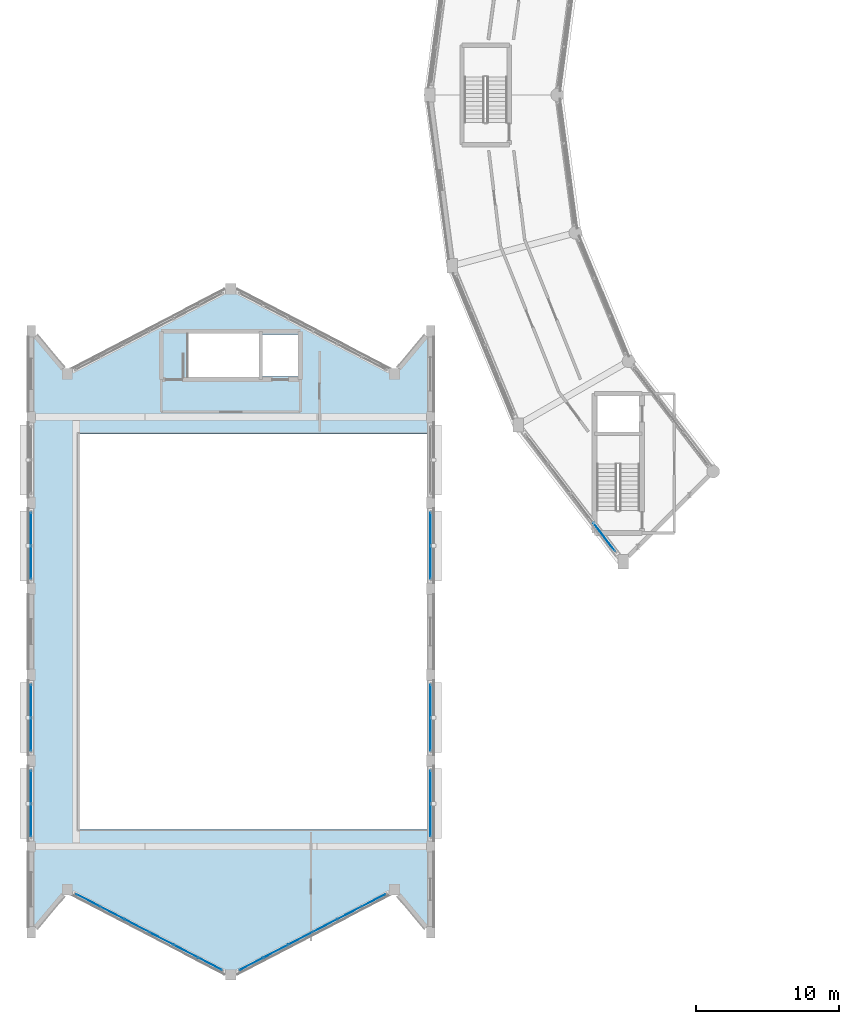
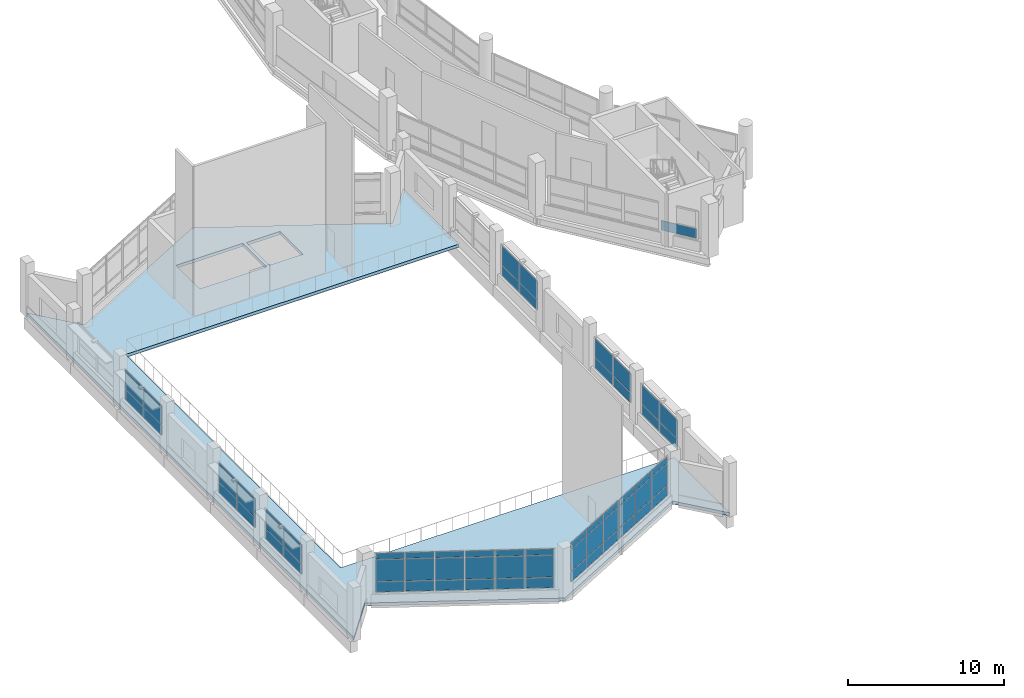
# One storey, part 100 of 128: 61 plates, 1 slab, 9 elements without a shape of their own.
"""IFC4 building model written with IfcOpenShell, lengths in metres."""

from ifc_helpers import new_model, si_unit, direction, frame, origin, origin_2d, place, context, subcontext, project, spatial, polyline, rectangle, outline, extrude, material, layer, layer_set, type_object, element, aggregate, save


model = new_model("IFC4")

# Units and contexts
model_context = context("Model", 3, precision=1e-05, world=origin(), true_north=direction((0.0, 1.0)))
body_context = subcontext(model_context, "Body", "Model", "MODEL_VIEW")
ifc_project = project(units=[si_unit("LENGTHUNIT", "METRE"), si_unit("AREAUNIT", "SQUARE_METRE"), si_unit("VOLUMEUNIT", "CUBIC_METRE"), si_unit("PLANEANGLEUNIT", "RADIAN"), si_unit("MASSUNIT", "GRAM", prefix="KILO")], contexts=[model_context])

# Site, building, storey
site_placement = place(None, origin())
site = spatial("IfcSite", under=ifc_project, at=site_placement, CompositionType="ELEMENT")
building_placement = place(site_placement, origin())
building = spatial("IfcBuilding", under=site, at=building_placement, Name="Vespera Passage Community Centre", CompositionType="ELEMENT")
storey_placement = place(building_placement, frame((0.0, 0.0, 4.5)))
storey = spatial("IfcBuildingStorey", under=building, at=storey_placement, Name="L01", CompositionType="ELEMENT", Elevation=4.5)

# Curtain wall, plates
ifc_material_1 = material(Name="Anodized aluminium 6063-T6", Category="aluminium")
ifc_layer_1 = layer(ifc_material_1, 0.159912109375)
ifc_layer_set_1 = layer_set([ifc_layer_1], Name="Anodized aluminium 6063-T6")
curtain_wall_type_1 = type_object("IfcCurtainWallType", Name="CW-85E", PredefinedType="NOTDEFINED", material=ifc_layer_set_1)
curtain_wall_1_placement = place(storey_placement, origin())
curtain_wall_1 = element("IfcCurtainWall", 1, at=curtain_wall_1_placement, inside=storey, type_object=curtain_wall_type_1, Name="V1 L01 S Apse Ribbon Curtain Wall 2", PredefinedType="NOTDEFINED")
ifc_material_2 = material(Name="Low-E insulated vision glass", Category="glass")
ifc_layer_2 = layer(ifc_material_2, 0.028076171875)
ifc_layer_set_2 = layer_set([ifc_layer_2], Name="Low-E insulated vision glass")
plate_type_1 = type_object("IfcPlateType", Name="PL-CWP-28E", PredefinedType="CURTAIN_PANEL", material=ifc_layer_set_2)
plate_1_placement = place(storey_placement, frame((27.98681640625, 9.248779296875, 0.85986328125), z_axis=(0.0, 0.0, 1.0), x_axis=(-0.887012747062, -0.46174493668, 0.0)))
plate_1 = element("IfcPlate", 2, at=plate_1_placement, type_object=plate_type_1, Name="CW-85E panel 1.1", PredefinedType="CURTAIN_PANEL", context=body_context, shape_type="SweptSolid", body=[
    extrude(rectangle(XDim=1.822021484375, YDim=0.028076171875, at=origin_2d()), origin(), (0.0, 0.0, 1.0), 0.760009765625),
])
plate_2_placement = place(storey_placement, frame((27.98681640625, 9.248779296875, 1.679931640625), z_axis=(0.0, 0.0, 1.0), x_axis=(-0.887012747062, -0.46174493668, 0.0)))
plate_2 = element("IfcPlate", 3, at=plate_2_placement, type_object=plate_type_1, Name="CW-85E panel 1.2", PredefinedType="CURTAIN_PANEL", context=body_context, shape_type="SweptSolid", body=[
    extrude(rectangle(XDim=1.822021484375, YDim=0.028076171875, at=origin_2d()), origin(), (0.0, 0.0, 1.0), 1.68994140625),
])
plate_3_placement = place(storey_placement, frame((27.98681640625, 9.248779296875, 3.429931640625), z_axis=(0.0, 0.0, 1.0), x_axis=(-0.887012747062, -0.46174493668, 0.0)))
plate_3 = element("IfcPlate", 4, at=plate_3_placement, type_object=plate_type_1, Name="CW-85E panel 1.3", PredefinedType="CURTAIN_PANEL", context=body_context, shape_type="SweptSolid", body=[
    extrude(rectangle(XDim=1.822021484375, YDim=0.028076171875, at=origin_2d()), origin(), (0.0, 0.0, 1.0), 0.4599609375),
])
plate_4_placement = place(storey_placement, frame((26.28759765625, 8.3642578125, 0.85986328125), z_axis=(0.0, 0.0, 1.0), x_axis=(-0.887012747062, -0.46174493668, 0.0)))
plate_4 = element("IfcPlate", 5, at=plate_4_placement, type_object=plate_type_1, Name="CW-85E panel 2.1", PredefinedType="CURTAIN_PANEL", context=body_context, shape_type="SweptSolid", body=[
    extrude(rectangle(XDim=1.859619140625, YDim=0.028076171875, at=origin_2d()), origin(), (0.0, 0.0, 1.0), 0.760009765625),
])
plate_5_placement = place(storey_placement, frame((26.28759765625, 8.3642578125, 1.679931640625), z_axis=(0.0, 0.0, 1.0), x_axis=(-0.887012747062, -0.46174493668, 0.0)))
plate_5 = element("IfcPlate", 6, at=plate_5_placement, type_object=plate_type_1, Name="CW-85E panel 2.2", PredefinedType="CURTAIN_PANEL", context=body_context, shape_type="SweptSolid", body=[
    extrude(rectangle(XDim=1.859619140625, YDim=0.028076171875, at=origin_2d()), origin(), (0.0, 0.0, 1.0), 1.68994140625),
])
plate_6_placement = place(storey_placement, frame((26.28759765625, 8.3642578125, 3.429931640625), z_axis=(0.0, 0.0, 1.0), x_axis=(-0.887012747062, -0.46174493668, 0.0)))
plate_6 = element("IfcPlate", 7, at=plate_6_placement, type_object=plate_type_1, Name="CW-85E panel 2.3", PredefinedType="CURTAIN_PANEL", context=body_context, shape_type="SweptSolid", body=[
    extrude(rectangle(XDim=1.859619140625, YDim=0.028076171875, at=origin_2d()), origin(), (0.0, 0.0, 1.0), 0.4599609375),
])
plate_7_placement = place(storey_placement, frame((24.571533203125, 7.470947265625, 0.85986328125), z_axis=(0.0, 0.0, 1.0), x_axis=(-0.887012747062, -0.46174493668, 0.0)))
plate_7 = element("IfcPlate", 8, at=plate_7_placement, type_object=plate_type_1, Name="CW-85E panel 3.1", PredefinedType="CURTAIN_PANEL", context=body_context, shape_type="SweptSolid", body=[
    extrude(rectangle(XDim=1.859619140625, YDim=0.028076171875, at=origin_2d()), origin(), (0.0, 0.0, 1.0), 0.760009765625),
])
plate_8_placement = place(storey_placement, frame((24.571533203125, 7.470947265625, 1.679931640625), z_axis=(0.0, 0.0, 1.0), x_axis=(-0.887012747062, -0.46174493668, 0.0)))
plate_8 = element("IfcPlate", 9, at=plate_8_placement, type_object=plate_type_1, Name="CW-85E panel 3.2", PredefinedType="CURTAIN_PANEL", context=body_context, shape_type="SweptSolid", body=[
    extrude(rectangle(XDim=1.859619140625, YDim=0.028076171875, at=origin_2d()), origin(), (0.0, 0.0, 1.0), 1.68994140625),
])
plate_9_placement = place(storey_placement, frame((24.571533203125, 7.470947265625, 3.429931640625), z_axis=(0.0, 0.0, 1.0), x_axis=(-0.887012747062, -0.46174493668, 0.0)))
plate_9 = element("IfcPlate", 10, at=plate_9_placement, type_object=plate_type_1, Name="CW-85E panel 3.3", PredefinedType="CURTAIN_PANEL", context=body_context, shape_type="SweptSolid", body=[
    extrude(rectangle(XDim=1.859619140625, YDim=0.028076171875, at=origin_2d()), origin(), (0.0, 0.0, 1.0), 0.4599609375),
])
plate_10_placement = place(storey_placement, frame((22.855712890625, 6.57763671875, 0.85986328125), z_axis=(0.0, 0.0, 1.0), x_axis=(-0.887012747062, -0.46174493668, 0.0)))
plate_10 = element("IfcPlate", 11, at=plate_10_placement, type_object=plate_type_1, Name="CW-85E panel 4.1", PredefinedType="CURTAIN_PANEL", context=body_context, shape_type="SweptSolid", body=[
    extrude(rectangle(XDim=1.859619140625, YDim=0.028076171875, at=origin_2d()), origin(), (0.0, 0.0, 1.0), 0.760009765625),
])
plate_11_placement = place(storey_placement, frame((22.855712890625, 6.57763671875, 1.679931640625), z_axis=(0.0, 0.0, 1.0), x_axis=(-0.887012747062, -0.46174493668, 0.0)))
plate_11 = element("IfcPlate", 12, at=plate_11_placement, type_object=plate_type_1, Name="CW-85E panel 4.2", PredefinedType="CURTAIN_PANEL", context=body_context, shape_type="SweptSolid", body=[
    extrude(rectangle(XDim=1.859619140625, YDim=0.028076171875, at=origin_2d()), origin(), (0.0, 0.0, 1.0), 1.68994140625),
])
plate_12_placement = place(storey_placement, frame((22.855712890625, 6.57763671875, 3.429931640625), z_axis=(0.0, 0.0, 1.0), x_axis=(-0.887012747062, -0.46174493668, 0.0)))
plate_12 = element("IfcPlate", 13, at=plate_12_placement, type_object=plate_type_1, Name="CW-85E panel 4.3", PredefinedType="CURTAIN_PANEL", context=body_context, shape_type="SweptSolid", body=[
    extrude(rectangle(XDim=1.859619140625, YDim=0.028076171875, at=origin_2d()), origin(), (0.0, 0.0, 1.0), 0.4599609375),
])
plate_13_placement = place(storey_placement, frame((21.1396484375, 5.684326171875, 0.85986328125), z_axis=(0.0, 0.0, 1.0), x_axis=(-0.887012747062, -0.46174493668, 0.0)))
plate_13 = element("IfcPlate", 14, at=plate_13_placement, type_object=plate_type_1, Name="CW-85E panel 5.1", PredefinedType="CURTAIN_PANEL", context=body_context, shape_type="SweptSolid", body=[
    extrude(rectangle(XDim=1.859619140625, YDim=0.028076171875, at=origin_2d()), origin(), (0.0, 0.0, 1.0), 0.760009765625),
])
plate_14_placement = place(storey_placement, frame((21.1396484375, 5.684326171875, 1.679931640625), z_axis=(0.0, 0.0, 1.0), x_axis=(-0.887012747062, -0.46174493668, 0.0)))
plate_14 = element("IfcPlate", 15, at=plate_14_placement, type_object=plate_type_1, Name="CW-85E panel 5.2", PredefinedType="CURTAIN_PANEL", context=body_context, shape_type="SweptSolid", body=[
    extrude(rectangle(XDim=1.859619140625, YDim=0.028076171875, at=origin_2d()), origin(), (0.0, 0.0, 1.0), 1.68994140625),
])
plate_15_placement = place(storey_placement, frame((21.1396484375, 5.684326171875, 3.429931640625), z_axis=(0.0, 0.0, 1.0), x_axis=(-0.887012747062, -0.46174493668, 0.0)))
plate_15 = element("IfcPlate", 16, at=plate_15_placement, type_object=plate_type_1, Name="CW-85E panel 5.3", PredefinedType="CURTAIN_PANEL", context=body_context, shape_type="SweptSolid", body=[
    extrude(rectangle(XDim=1.859619140625, YDim=0.028076171875, at=origin_2d()), origin(), (0.0, 0.0, 1.0), 0.4599609375),
])
plate_16_placement = place(storey_placement, frame((19.4404296875, 4.7998046875, 0.85986328125), z_axis=(0.0, 0.0, 1.0), x_axis=(-0.887012747062, -0.46174493668, 0.0)))
plate_16 = element("IfcPlate", 17, at=plate_16_placement, type_object=plate_type_1, Name="CW-85E panel 6.1", PredefinedType="CURTAIN_PANEL", context=body_context, shape_type="SweptSolid", body=[
    extrude(rectangle(XDim=1.822021484375, YDim=0.028076171875, at=origin_2d()), origin(), (0.0, 0.0, 1.0), 0.760009765625),
])
plate_17_placement = place(storey_placement, frame((19.4404296875, 4.7998046875, 1.679931640625), z_axis=(0.0, 0.0, 1.0), x_axis=(-0.887012747062, -0.46174493668, 0.0)))
plate_17 = element("IfcPlate", 18, at=plate_17_placement, type_object=plate_type_1, Name="CW-85E panel 6.2", PredefinedType="CURTAIN_PANEL", context=body_context, shape_type="SweptSolid", body=[
    extrude(rectangle(XDim=1.822021484375, YDim=0.028076171875, at=origin_2d()), origin(), (0.0, 0.0, 1.0), 1.68994140625),
])
plate_18_placement = place(storey_placement, frame((19.4404296875, 4.7998046875, 3.429931640625), z_axis=(0.0, 0.0, 1.0), x_axis=(-0.887012747062, -0.46174493668, 0.0)))
plate_18 = element("IfcPlate", 19, at=plate_18_placement, type_object=plate_type_1, Name="CW-85E panel 6.3", PredefinedType="CURTAIN_PANEL", context=body_context, shape_type="SweptSolid", body=[
    extrude(rectangle(XDim=1.822021484375, YDim=0.028076171875, at=origin_2d()), origin(), (0.0, 0.0, 1.0), 0.4599609375),
])
aggregate(curtain_wall_1, [plate_1, plate_2, plate_3, plate_4, plate_5, plate_6, plate_7, plate_8, plate_9, plate_10, plate_11, plate_12, plate_13, plate_14, plate_15, plate_16, plate_17, plate_18])

curtain_wall_2_placement = place(storey_placement, origin())
curtain_wall_2 = element("IfcCurtainWall", 20, at=curtain_wall_2_placement, inside=storey, type_object=curtain_wall_type_1, Name="V1 L01 S Apse Ribbon Curtain Wall 3", PredefinedType="NOTDEFINED")
plate_19_placement = place(storey_placement, frame((16.5595703125, 4.7998046875, 0.85986328125), z_axis=(0.0, 0.0, 1.0), x_axis=(-0.887012747062, 0.46174493668, 0.0)))
plate_19 = element("IfcPlate", 21, at=plate_19_placement, type_object=plate_type_1, Name="CW-85E panel 1.1", PredefinedType="CURTAIN_PANEL", context=body_context, shape_type="SweptSolid", body=[
    extrude(rectangle(XDim=1.822021484375, YDim=0.028076171875, at=origin_2d()), origin(), (0.0, 0.0, 1.0), 0.760009765625),
])
plate_20_placement = place(storey_placement, frame((16.5595703125, 4.7998046875, 1.679931640625), z_axis=(0.0, 0.0, 1.0), x_axis=(-0.887012747062, 0.46174493668, 0.0)))
plate_20 = element("IfcPlate", 22, at=plate_20_placement, type_object=plate_type_1, Name="CW-85E panel 1.2", PredefinedType="CURTAIN_PANEL", context=body_context, shape_type="SweptSolid", body=[
    extrude(rectangle(XDim=1.822021484375, YDim=0.028076171875, at=origin_2d()), origin(), (0.0, 0.0, 1.0), 1.68994140625),
])
plate_21_placement = place(storey_placement, frame((16.5595703125, 4.7998046875, 3.429931640625), z_axis=(0.0, 0.0, 1.0), x_axis=(-0.887012747062, 0.46174493668, 0.0)))
plate_21 = element("IfcPlate", 23, at=plate_21_placement, type_object=plate_type_1, Name="CW-85E panel 1.3", PredefinedType="CURTAIN_PANEL", context=body_context, shape_type="SweptSolid", body=[
    extrude(rectangle(XDim=1.822021484375, YDim=0.028076171875, at=origin_2d()), origin(), (0.0, 0.0, 1.0), 0.4599609375),
])
plate_22_placement = place(storey_placement, frame((14.8603515625, 5.684326171875, 0.85986328125), z_axis=(0.0, 0.0, 1.0), x_axis=(-0.887012747062, 0.46174493668, 0.0)))
plate_22 = element("IfcPlate", 24, at=plate_22_placement, type_object=plate_type_1, Name="CW-85E panel 2.1", PredefinedType="CURTAIN_PANEL", context=body_context, shape_type="SweptSolid", body=[
    extrude(rectangle(XDim=1.859619140625, YDim=0.028076171875, at=origin_2d()), origin(), (0.0, 0.0, 1.0), 0.760009765625),
])
plate_23_placement = place(storey_placement, frame((14.8603515625, 5.684326171875, 1.679931640625), z_axis=(0.0, 0.0, 1.0), x_axis=(-0.887012747062, 0.46174493668, 0.0)))
plate_23 = element("IfcPlate", 25, at=plate_23_placement, type_object=plate_type_1, Name="CW-85E panel 2.2", PredefinedType="CURTAIN_PANEL", context=body_context, shape_type="SweptSolid", body=[
    extrude(rectangle(XDim=1.859619140625, YDim=0.028076171875, at=origin_2d()), origin(), (0.0, 0.0, 1.0), 1.68994140625),
])
plate_24_placement = place(storey_placement, frame((14.8603515625, 5.684326171875, 3.429931640625), z_axis=(0.0, 0.0, 1.0), x_axis=(-0.887012747062, 0.46174493668, 0.0)))
plate_24 = element("IfcPlate", 26, at=plate_24_placement, type_object=plate_type_1, Name="CW-85E panel 2.3", PredefinedType="CURTAIN_PANEL", context=body_context, shape_type="SweptSolid", body=[
    extrude(rectangle(XDim=1.859619140625, YDim=0.028076171875, at=origin_2d()), origin(), (0.0, 0.0, 1.0), 0.4599609375),
])
plate_25_placement = place(storey_placement, frame((13.144287109375, 6.57763671875, 0.85986328125), z_axis=(0.0, 0.0, 1.0), x_axis=(-0.887012747062, 0.46174493668, 0.0)))
plate_25 = element("IfcPlate", 27, at=plate_25_placement, type_object=plate_type_1, Name="CW-85E panel 3.1", PredefinedType="CURTAIN_PANEL", context=body_context, shape_type="SweptSolid", body=[
    extrude(rectangle(XDim=1.859619140625, YDim=0.028076171875, at=origin_2d()), origin(), (0.0, 0.0, 1.0), 0.760009765625),
])
plate_26_placement = place(storey_placement, frame((13.144287109375, 6.57763671875, 1.679931640625), z_axis=(0.0, 0.0, 1.0), x_axis=(-0.887012747062, 0.46174493668, 0.0)))
plate_26 = element("IfcPlate", 28, at=plate_26_placement, type_object=plate_type_1, Name="CW-85E panel 3.2", PredefinedType="CURTAIN_PANEL", context=body_context, shape_type="SweptSolid", body=[
    extrude(rectangle(XDim=1.859619140625, YDim=0.028076171875, at=origin_2d()), origin(), (0.0, 0.0, 1.0), 1.68994140625),
])
plate_27_placement = place(storey_placement, frame((13.144287109375, 6.57763671875, 3.429931640625), z_axis=(0.0, 0.0, 1.0), x_axis=(-0.887012747062, 0.46174493668, 0.0)))
plate_27 = element("IfcPlate", 29, at=plate_27_placement, type_object=plate_type_1, Name="CW-85E panel 3.3", PredefinedType="CURTAIN_PANEL", context=body_context, shape_type="SweptSolid", body=[
    extrude(rectangle(XDim=1.859619140625, YDim=0.028076171875, at=origin_2d()), origin(), (0.0, 0.0, 1.0), 0.4599609375),
])
plate_28_placement = place(storey_placement, frame((11.428466796875, 7.470947265625, 0.85986328125), z_axis=(0.0, 0.0, 1.0), x_axis=(-0.887012747062, 0.46174493668, 0.0)))
plate_28 = element("IfcPlate", 30, at=plate_28_placement, type_object=plate_type_1, Name="CW-85E panel 4.1", PredefinedType="CURTAIN_PANEL", context=body_context, shape_type="SweptSolid", body=[
    extrude(rectangle(XDim=1.859619140625, YDim=0.028076171875, at=origin_2d()), origin(), (0.0, 0.0, 1.0), 0.760009765625),
])
plate_29_placement = place(storey_placement, frame((11.428466796875, 7.470947265625, 1.679931640625), z_axis=(0.0, 0.0, 1.0), x_axis=(-0.887012747062, 0.46174493668, 0.0)))
plate_29 = element("IfcPlate", 31, at=plate_29_placement, type_object=plate_type_1, Name="CW-85E panel 4.2", PredefinedType="CURTAIN_PANEL", context=body_context, shape_type="SweptSolid", body=[
    extrude(rectangle(XDim=1.859619140625, YDim=0.028076171875, at=origin_2d()), origin(), (0.0, 0.0, 1.0), 1.68994140625),
])
plate_30_placement = place(storey_placement, frame((11.428466796875, 7.470947265625, 3.429931640625), z_axis=(0.0, 0.0, 1.0), x_axis=(-0.887012747062, 0.46174493668, 0.0)))
plate_30 = element("IfcPlate", 32, at=plate_30_placement, type_object=plate_type_1, Name="CW-85E panel 4.3", PredefinedType="CURTAIN_PANEL", context=body_context, shape_type="SweptSolid", body=[
    extrude(rectangle(XDim=1.859619140625, YDim=0.028076171875, at=origin_2d()), origin(), (0.0, 0.0, 1.0), 0.4599609375),
])
plate_31_placement = place(storey_placement, frame((9.71240234375, 8.3642578125, 0.85986328125), z_axis=(0.0, 0.0, 1.0), x_axis=(-0.887012747062, 0.46174493668, 0.0)))
plate_31 = element("IfcPlate", 33, at=plate_31_placement, type_object=plate_type_1, Name="CW-85E panel 5.1", PredefinedType="CURTAIN_PANEL", context=body_context, shape_type="SweptSolid", body=[
    extrude(rectangle(XDim=1.859619140625, YDim=0.028076171875, at=origin_2d()), origin(), (0.0, 0.0, 1.0), 0.760009765625),
])
plate_32_placement = place(storey_placement, frame((9.71240234375, 8.3642578125, 1.679931640625), z_axis=(0.0, 0.0, 1.0), x_axis=(-0.887012747062, 0.46174493668, 0.0)))
plate_32 = element("IfcPlate", 34, at=plate_32_placement, type_object=plate_type_1, Name="CW-85E panel 5.2", PredefinedType="CURTAIN_PANEL", context=body_context, shape_type="SweptSolid", body=[
    extrude(rectangle(XDim=1.859619140625, YDim=0.028076171875, at=origin_2d()), origin(), (0.0, 0.0, 1.0), 1.68994140625),
])
plate_33_placement = place(storey_placement, frame((9.71240234375, 8.3642578125, 3.429931640625), z_axis=(0.0, 0.0, 1.0), x_axis=(-0.887012747062, 0.46174493668, 0.0)))
plate_33 = element("IfcPlate", 35, at=plate_33_placement, type_object=plate_type_1, Name="CW-85E panel 5.3", PredefinedType="CURTAIN_PANEL", context=body_context, shape_type="SweptSolid", body=[
    extrude(rectangle(XDim=1.859619140625, YDim=0.028076171875, at=origin_2d()), origin(), (0.0, 0.0, 1.0), 0.4599609375),
])
plate_34_placement = place(storey_placement, frame((8.01318359375, 9.248779296875, 0.85986328125), z_axis=(0.0, 0.0, 1.0), x_axis=(-0.887012747062, 0.46174493668, 0.0)))
plate_34 = element("IfcPlate", 36, at=plate_34_placement, type_object=plate_type_1, Name="CW-85E panel 6.1", PredefinedType="CURTAIN_PANEL", context=body_context, shape_type="SweptSolid", body=[
    extrude(rectangle(XDim=1.822021484375, YDim=0.028076171875, at=origin_2d()), origin(), (0.0, 0.0, 1.0), 0.760009765625),
])
plate_35_placement = place(storey_placement, frame((8.01318359375, 9.248779296875, 1.679931640625), z_axis=(0.0, 0.0, 1.0), x_axis=(-0.887012747062, 0.46174493668, 0.0)))
plate_35 = element("IfcPlate", 37, at=plate_35_placement, type_object=plate_type_1, Name="CW-85E panel 6.2", PredefinedType="CURTAIN_PANEL", context=body_context, shape_type="SweptSolid", body=[
    extrude(rectangle(XDim=1.822021484375, YDim=0.028076171875, at=origin_2d()), origin(), (0.0, 0.0, 1.0), 1.68994140625),
])
plate_36_placement = place(storey_placement, frame((8.01318359375, 9.248779296875, 3.429931640625), z_axis=(0.0, 0.0, 1.0), x_axis=(-0.887012747062, 0.46174493668, 0.0)))
plate_36 = element("IfcPlate", 38, at=plate_36_placement, type_object=plate_type_1, Name="CW-85E panel 6.3", PredefinedType="CURTAIN_PANEL", context=body_context, shape_type="SweptSolid", body=[
    extrude(rectangle(XDim=1.822021484375, YDim=0.028076171875, at=origin_2d()), origin(), (0.0, 0.0, 1.0), 0.4599609375),
])
aggregate(curtain_wall_2, [plate_19, plate_20, plate_21, plate_22, plate_23, plate_24, plate_25, plate_26, plate_27, plate_28, plate_29, plate_30, plate_31, plate_32, plate_33, plate_34, plate_35, plate_36])

# Curtain wall, plate
ifc_material_3 = material(Name="Anodized aluminium 6063-T6", Category="aluminium")
ifc_layer_3 = layer(ifc_material_3, 0.159912109375)
ifc_layer_set_3 = layer_set([ifc_layer_3], Name="Anodized aluminium 6063-T6")
curtain_wall_type_2 = type_object("IfcCurtainWallType", Name="CW-23E", PredefinedType="NOTDEFINED", material=ifc_layer_set_3)
curtain_wall_3_placement = place(storey_placement, origin())
curtain_wall_3 = element("IfcCurtainWall", 39, at=curtain_wall_3_placement, inside=storey, type_object=curtain_wall_type_2, Name="V4 L01 Outer Ribbon Curtain Wall 14", PredefinedType="NOTDEFINED")
ifc_material_4 = material(Name="Acoustic triple-glazed vision glass", Category="glass")
ifc_layer_4 = layer(ifc_material_4, 0.035888671875)
ifc_layer_set_4 = layer_set([ifc_layer_4], Name="Acoustic triple-glazed vision glass")
plate_type_2 = type_object("IfcPlateType", Name="PL-CWP-36E", PredefinedType="CURTAIN_PANEL", material=ifc_layer_set_4)
plate_37_placement = place(storey_placement, frame((44.095703125, 34.605224609375, 0.8798828125), z_axis=(0.0, 0.0, 1.0), x_axis=(-0.608765447029, 0.793350257139, 0.0)))
plate_37 = element("IfcPlate", 40, at=plate_37_placement, type_object=plate_type_2, Name="CW-23E panel 1.1", PredefinedType="CURTAIN_PANEL", context=body_context, shape_type="SweptSolid", body=[
    extrude(rectangle(XDim=2.480712890625, YDim=0.035888671875, at=origin_2d()), origin(), (0.0, 0.0, 1.0), 0.760009765625),
])
aggregate(curtain_wall_3, [plate_37])

# Curtain wall, plates
ifc_material_5 = material(Name="Anodized aluminium 6063-T6", Category="aluminium")
ifc_layer_5 = layer(ifc_material_5, 0.159912109375)
ifc_layer_set_5 = layer_set([ifc_layer_5], Name="Anodized aluminium 6063-T6")
curtain_wall_type_3 = type_object("IfcCurtainWallType", Name="CW-84E", PredefinedType="NOTDEFINED", material=ifc_layer_set_5)
curtain_wall_4_placement = place(storey_placement, origin())
curtain_wall_4 = element("IfcCurtainWall", 41, at=curtain_wall_4_placement, inside=storey, type_object=curtain_wall_type_3, Name="Main Hall Acoustic Curtain Wall L01 W2", PredefinedType="NOTDEFINED")
plate_38_placement = place(storey_placement, frame((4.050048828125, 14.831298828125, 0.91015625), z_axis=(0.0, 0.0, 1.0), x_axis=(0.0, 1.0, 0.0)))
plate_38 = element("IfcPlate", 42, at=plate_38_placement, type_object=plate_type_2, Name="CW-84E panel 1.1", PredefinedType="CURTAIN_PANEL", context=body_context, shape_type="SweptSolid", body=[
    extrude(rectangle(XDim=2.262451171875, YDim=0.035888671875, at=origin_2d()), origin(), (0.0, 0.0, 1.0), 0.760009765625),
])
plate_39_placement = place(storey_placement, frame((4.050048828125, 14.831298828125, 1.72998046875), z_axis=(0.0, 0.0, 1.0), x_axis=(0.0, 1.0, 0.0)))
plate_39 = element("IfcPlate", 43, at=plate_39_placement, type_object=plate_type_2, Name="CW-84E panel 1.2", PredefinedType="CURTAIN_PANEL", context=body_context, shape_type="SweptSolid", body=[
    extrude(rectangle(XDim=2.262451171875, YDim=0.035888671875, at=origin_2d()), origin(), (0.0, 0.0, 1.0), 1.47509765625),
])
plate_40_placement = place(storey_placement, frame((4.050048828125, 17.168701171875, 0.91015625), z_axis=(0.0, 0.0, 1.0), x_axis=(0.0, 1.0, 0.0)))
plate_40 = element("IfcPlate", 44, at=plate_40_placement, type_object=plate_type_2, Name="CW-84E panel 2.1", PredefinedType="CURTAIN_PANEL", context=body_context, shape_type="SweptSolid", body=[
    extrude(rectangle(XDim=2.262451171875, YDim=0.035888671875, at=origin_2d()), origin(), (0.0, 0.0, 1.0), 0.760009765625),
])
plate_41_placement = place(storey_placement, frame((4.050048828125, 17.168701171875, 1.72998046875), z_axis=(0.0, 0.0, 1.0), x_axis=(0.0, 1.0, 0.0)))
plate_41 = element("IfcPlate", 45, at=plate_41_placement, type_object=plate_type_2, Name="CW-84E panel 2.2", PredefinedType="CURTAIN_PANEL", context=body_context, shape_type="SweptSolid", body=[
    extrude(rectangle(XDim=2.262451171875, YDim=0.035888671875, at=origin_2d()), origin(), (0.0, 0.0, 1.0), 1.47509765625),
])
aggregate(curtain_wall_4, [plate_38, plate_39, plate_40, plate_41])

curtain_wall_5_placement = place(storey_placement, origin())
curtain_wall_5 = element("IfcCurtainWall", 46, at=curtain_wall_5_placement, inside=storey, type_object=curtain_wall_type_3, Name="Main Hall Acoustic Curtain Wall L01 E2", PredefinedType="NOTDEFINED")
plate_42_placement = place(storey_placement, frame((31.949951171875, 17.168701171875, 0.91015625), z_axis=(0.0, 0.0, 1.0), x_axis=(0.0, -1.0, 0.0)))
plate_42 = element("IfcPlate", 47, at=plate_42_placement, type_object=plate_type_2, Name="CW-84E panel 1.1", PredefinedType="CURTAIN_PANEL", context=body_context, shape_type="SweptSolid", body=[
    extrude(rectangle(XDim=2.262451171875, YDim=0.035888671875, at=origin_2d()), origin(), (0.0, 0.0, 1.0), 0.760009765625),
])
plate_43_placement = place(storey_placement, frame((31.949951171875, 17.168701171875, 1.72998046875), z_axis=(0.0, 0.0, 1.0), x_axis=(0.0, -1.0, 0.0)))
plate_43 = element("IfcPlate", 48, at=plate_43_placement, type_object=plate_type_2, Name="CW-84E panel 1.2", PredefinedType="CURTAIN_PANEL", context=body_context, shape_type="SweptSolid", body=[
    extrude(rectangle(XDim=2.262451171875, YDim=0.035888671875, at=origin_2d()), origin(), (0.0, 0.0, 1.0), 1.47509765625),
])
plate_44_placement = place(storey_placement, frame((31.949951171875, 14.831298828125, 0.91015625), z_axis=(0.0, 0.0, 1.0), x_axis=(0.0, -1.0, 0.0)))
plate_44 = element("IfcPlate", 49, at=plate_44_placement, type_object=plate_type_2, Name="CW-84E panel 2.1", PredefinedType="CURTAIN_PANEL", context=body_context, shape_type="SweptSolid", body=[
    extrude(rectangle(XDim=2.262451171875, YDim=0.035888671875, at=origin_2d()), origin(), (0.0, 0.0, 1.0), 0.760009765625),
])
plate_45_placement = place(storey_placement, frame((31.949951171875, 14.831298828125, 1.72998046875), z_axis=(0.0, 0.0, 1.0), x_axis=(0.0, -1.0, 0.0)))
plate_45 = element("IfcPlate", 50, at=plate_45_placement, type_object=plate_type_2, Name="CW-84E panel 2.2", PredefinedType="CURTAIN_PANEL", context=body_context, shape_type="SweptSolid", body=[
    extrude(rectangle(XDim=2.262451171875, YDim=0.035888671875, at=origin_2d()), origin(), (0.0, 0.0, 1.0), 1.47509765625),
])
aggregate(curtain_wall_5, [plate_42, plate_43, plate_44, plate_45])

curtain_wall_6_placement = place(storey_placement, origin())
curtain_wall_6 = element("IfcCurtainWall", 51, at=curtain_wall_6_placement, inside=storey, type_object=curtain_wall_type_3, Name="Main Hall Acoustic Curtain Wall L01 W3", PredefinedType="NOTDEFINED")
plate_46_placement = place(storey_placement, frame((4.050048828125, 20.831298828125, 0.91015625), z_axis=(0.0, 0.0, 1.0), x_axis=(0.0, 1.0, 0.0)))
plate_46 = element("IfcPlate", 52, at=plate_46_placement, type_object=plate_type_2, Name="CW-84E panel 1.1", PredefinedType="CURTAIN_PANEL", context=body_context, shape_type="SweptSolid", body=[
    extrude(rectangle(XDim=2.262451171875, YDim=0.035888671875, at=origin_2d()), origin(), (0.0, 0.0, 1.0), 0.760009765625),
])
plate_47_placement = place(storey_placement, frame((4.050048828125, 20.831298828125, 1.72998046875), z_axis=(0.0, 0.0, 1.0), x_axis=(0.0, 1.0, 0.0)))
plate_47 = element("IfcPlate", 53, at=plate_47_placement, type_object=plate_type_2, Name="CW-84E panel 1.2", PredefinedType="CURTAIN_PANEL", context=body_context, shape_type="SweptSolid", body=[
    extrude(rectangle(XDim=2.262451171875, YDim=0.035888671875, at=origin_2d()), origin(), (0.0, 0.0, 1.0), 1.47509765625),
])
plate_48_placement = place(storey_placement, frame((4.050048828125, 23.168701171875, 0.91015625), z_axis=(0.0, 0.0, 1.0), x_axis=(0.0, 1.0, 0.0)))
plate_48 = element("IfcPlate", 54, at=plate_48_placement, type_object=plate_type_2, Name="CW-84E panel 2.1", PredefinedType="CURTAIN_PANEL", context=body_context, shape_type="SweptSolid", body=[
    extrude(rectangle(XDim=2.262451171875, YDim=0.035888671875, at=origin_2d()), origin(), (0.0, 0.0, 1.0), 0.760009765625),
])
plate_49_placement = place(storey_placement, frame((4.050048828125, 23.168701171875, 1.72998046875), z_axis=(0.0, 0.0, 1.0), x_axis=(0.0, 1.0, 0.0)))
plate_49 = element("IfcPlate", 55, at=plate_49_placement, type_object=plate_type_2, Name="CW-84E panel 2.2", PredefinedType="CURTAIN_PANEL", context=body_context, shape_type="SweptSolid", body=[
    extrude(rectangle(XDim=2.262451171875, YDim=0.035888671875, at=origin_2d()), origin(), (0.0, 0.0, 1.0), 1.47509765625),
])
aggregate(curtain_wall_6, [plate_46, plate_47, plate_48, plate_49])

curtain_wall_7_placement = place(storey_placement, origin())
curtain_wall_7 = element("IfcCurtainWall", 56, at=curtain_wall_7_placement, inside=storey, type_object=curtain_wall_type_3, Name="Main Hall Acoustic Curtain Wall L01 E3", PredefinedType="NOTDEFINED")
plate_50_placement = place(storey_placement, frame((31.949951171875, 23.168701171875, 0.91015625), z_axis=(0.0, 0.0, 1.0), x_axis=(0.0, -1.0, 0.0)))
plate_50 = element("IfcPlate", 57, at=plate_50_placement, type_object=plate_type_2, Name="CW-84E panel 1.1", PredefinedType="CURTAIN_PANEL", context=body_context, shape_type="SweptSolid", body=[
    extrude(rectangle(XDim=2.262451171875, YDim=0.035888671875, at=origin_2d()), origin(), (0.0, 0.0, 1.0), 0.760009765625),
])
plate_51_placement = place(storey_placement, frame((31.949951171875, 23.168701171875, 1.72998046875), z_axis=(0.0, 0.0, 1.0), x_axis=(0.0, -1.0, 0.0)))
plate_51 = element("IfcPlate", 58, at=plate_51_placement, type_object=plate_type_2, Name="CW-84E panel 1.2", PredefinedType="CURTAIN_PANEL", context=body_context, shape_type="SweptSolid", body=[
    extrude(rectangle(XDim=2.262451171875, YDim=0.035888671875, at=origin_2d()), origin(), (0.0, 0.0, 1.0), 1.47509765625),
])
plate_52_placement = place(storey_placement, frame((31.949951171875, 20.831298828125, 0.91015625), z_axis=(0.0, 0.0, 1.0), x_axis=(0.0, -1.0, 0.0)))
plate_52 = element("IfcPlate", 59, at=plate_52_placement, type_object=plate_type_2, Name="CW-84E panel 2.1", PredefinedType="CURTAIN_PANEL", context=body_context, shape_type="SweptSolid", body=[
    extrude(rectangle(XDim=2.262451171875, YDim=0.035888671875, at=origin_2d()), origin(), (0.0, 0.0, 1.0), 0.760009765625),
])
plate_53_placement = place(storey_placement, frame((31.949951171875, 20.831298828125, 1.72998046875), z_axis=(0.0, 0.0, 1.0), x_axis=(0.0, -1.0, 0.0)))
plate_53 = element("IfcPlate", 60, at=plate_53_placement, type_object=plate_type_2, Name="CW-84E panel 2.2", PredefinedType="CURTAIN_PANEL", context=body_context, shape_type="SweptSolid", body=[
    extrude(rectangle(XDim=2.262451171875, YDim=0.035888671875, at=origin_2d()), origin(), (0.0, 0.0, 1.0), 1.47509765625),
])
aggregate(curtain_wall_7, [plate_50, plate_51, plate_52, plate_53])

curtain_wall_8_placement = place(storey_placement, origin())
curtain_wall_8 = element("IfcCurtainWall", 61, at=curtain_wall_8_placement, inside=storey, type_object=curtain_wall_type_3, Name="Main Hall Acoustic Curtain Wall L01 W5", PredefinedType="NOTDEFINED")
plate_54_placement = place(storey_placement, frame((4.050048828125, 32.831298828125, 0.91015625), z_axis=(0.0, 0.0, 1.0), x_axis=(0.0, 1.0, 0.0)))
plate_54 = element("IfcPlate", 62, at=plate_54_placement, type_object=plate_type_2, Name="CW-84E panel 1.1", PredefinedType="CURTAIN_PANEL", context=body_context, shape_type="SweptSolid", body=[
    extrude(rectangle(XDim=2.262451171875, YDim=0.035888671875, at=origin_2d()), origin(), (0.0, 0.0, 1.0), 0.760009765625),
])
plate_55_placement = place(storey_placement, frame((4.050048828125, 32.831298828125, 1.72998046875), z_axis=(0.0, 0.0, 1.0), x_axis=(0.0, 1.0, 0.0)))
plate_55 = element("IfcPlate", 63, at=plate_55_placement, type_object=plate_type_2, Name="CW-84E panel 1.2", PredefinedType="CURTAIN_PANEL", context=body_context, shape_type="SweptSolid", body=[
    extrude(rectangle(XDim=2.262451171875, YDim=0.035888671875, at=origin_2d()), origin(), (0.0, 0.0, 1.0), 1.47509765625),
])
plate_56_placement = place(storey_placement, frame((4.050048828125, 35.168701171875, 0.91015625), z_axis=(0.0, 0.0, 1.0), x_axis=(0.0, 1.0, 0.0)))
plate_56 = element("IfcPlate", 64, at=plate_56_placement, type_object=plate_type_2, Name="CW-84E panel 2.1", PredefinedType="CURTAIN_PANEL", context=body_context, shape_type="SweptSolid", body=[
    extrude(rectangle(XDim=2.262451171875, YDim=0.035888671875, at=origin_2d()), origin(), (0.0, 0.0, 1.0), 0.760009765625),
])
plate_57_placement = place(storey_placement, frame((4.050048828125, 35.168701171875, 1.72998046875), z_axis=(0.0, 0.0, 1.0), x_axis=(0.0, 1.0, 0.0)))
plate_57 = element("IfcPlate", 65, at=plate_57_placement, type_object=plate_type_2, Name="CW-84E panel 2.2", PredefinedType="CURTAIN_PANEL", context=body_context, shape_type="SweptSolid", body=[
    extrude(rectangle(XDim=2.262451171875, YDim=0.035888671875, at=origin_2d()), origin(), (0.0, 0.0, 1.0), 1.47509765625),
])
aggregate(curtain_wall_8, [plate_54, plate_55, plate_56, plate_57])

curtain_wall_9_placement = place(storey_placement, origin())
curtain_wall_9 = element("IfcCurtainWall", 66, at=curtain_wall_9_placement, inside=storey, type_object=curtain_wall_type_3, Name="Main Hall Acoustic Curtain Wall L01 E5", PredefinedType="NOTDEFINED")
plate_58_placement = place(storey_placement, frame((31.949951171875, 35.168701171875, 0.91015625), z_axis=(0.0, 0.0, 1.0), x_axis=(0.0, -1.0, 0.0)))
plate_58 = element("IfcPlate", 67, at=plate_58_placement, type_object=plate_type_2, Name="CW-84E panel 1.1", PredefinedType="CURTAIN_PANEL", context=body_context, shape_type="SweptSolid", body=[
    extrude(rectangle(XDim=2.262451171875, YDim=0.035888671875, at=origin_2d()), origin(), (0.0, 0.0, 1.0), 0.760009765625),
])
plate_59_placement = place(storey_placement, frame((31.949951171875, 35.168701171875, 1.72998046875), z_axis=(0.0, 0.0, 1.0), x_axis=(0.0, -1.0, 0.0)))
plate_59 = element("IfcPlate", 68, at=plate_59_placement, type_object=plate_type_2, Name="CW-84E panel 1.2", PredefinedType="CURTAIN_PANEL", context=body_context, shape_type="SweptSolid", body=[
    extrude(rectangle(XDim=2.262451171875, YDim=0.035888671875, at=origin_2d()), origin(), (0.0, 0.0, 1.0), 1.47509765625),
])
plate_60_placement = place(storey_placement, frame((31.949951171875, 32.831298828125, 0.91015625), z_axis=(0.0, 0.0, 1.0), x_axis=(0.0, -1.0, 0.0)))
plate_60 = element("IfcPlate", 69, at=plate_60_placement, type_object=plate_type_2, Name="CW-84E panel 2.1", PredefinedType="CURTAIN_PANEL", context=body_context, shape_type="SweptSolid", body=[
    extrude(rectangle(XDim=2.262451171875, YDim=0.035888671875, at=origin_2d()), origin(), (0.0, 0.0, 1.0), 0.760009765625),
])
plate_61_placement = place(storey_placement, frame((31.949951171875, 32.831298828125, 1.72998046875), z_axis=(0.0, 0.0, 1.0), x_axis=(0.0, -1.0, 0.0)))
plate_61 = element("IfcPlate", 70, at=plate_61_placement, type_object=plate_type_2, Name="CW-84E panel 2.2", PredefinedType="CURTAIN_PANEL", context=body_context, shape_type="SweptSolid", body=[
    extrude(rectangle(XDim=2.262451171875, YDim=0.035888671875, at=origin_2d()), origin(), (0.0, 0.0, 1.0), 1.47509765625),
])
aggregate(curtain_wall_9, [plate_58, plate_59, plate_60, plate_61])

# Slab
ifc_material_6 = material(Name="Concrete f'c 35 MPa", Category="concrete")
ifc_layer_6 = layer(ifc_material_6, 0.239990234375)
ifc_layer_set_6 = layer_set([ifc_layer_6], Name="Concrete f'c 35 MPa")
slab_type = type_object("IfcSlabType", Name="SL-TYP-240", PredefinedType="FLOOR", material=ifc_layer_set_6)
slab_placement = place(storey_placement, frame((0.0, 0.0, -0.239990234375)))
element("IfcSlab", 71, at=slab_placement, inside=storey, type_object=slab_type, Name="V1 L01 Auditorium Balcony Gallery Slab", PredefinedType="FLOOR", context=body_context, shape_type="SweptSolid", body=[
    extrude(outline(polyline([(18.0, 51.949951171875), (29.42724609375, 46.00146484375), (31.949951171875, 49.0), (31.949951171875, 41.800048828125), (7.199951171875, 41.800048828125), (7.199951171875, 14.199951171875), (31.949951171875, 14.199951171875), (31.949951171875, 7.0), (29.42724609375, 9.99853515625), (18.0, 4.050048828125), (6.57275390625, 9.99853515625), (4.050048828125, 7.0), (4.050048828125, 49.0), (6.57275390625, 46.00146484375), (18.0, 51.949951171875)]), holes=[polyline([(19.955078125, 48.820068359375), (15.0048828125, 48.820068359375), (15.0048828125, 45.780029296875), (19.955078125, 45.780029296875), (19.955078125, 48.820068359375)]), polyline([(22.695068359375, 45.830078125), (22.695068359375, 48.77001953125), (20.195068359375, 48.77001953125), (20.195068359375, 45.830078125), (22.695068359375, 45.830078125)])]), origin(), (0.0, 0.0, 1.0), 0.239990234375),
])

save(model, "model.ifc")
